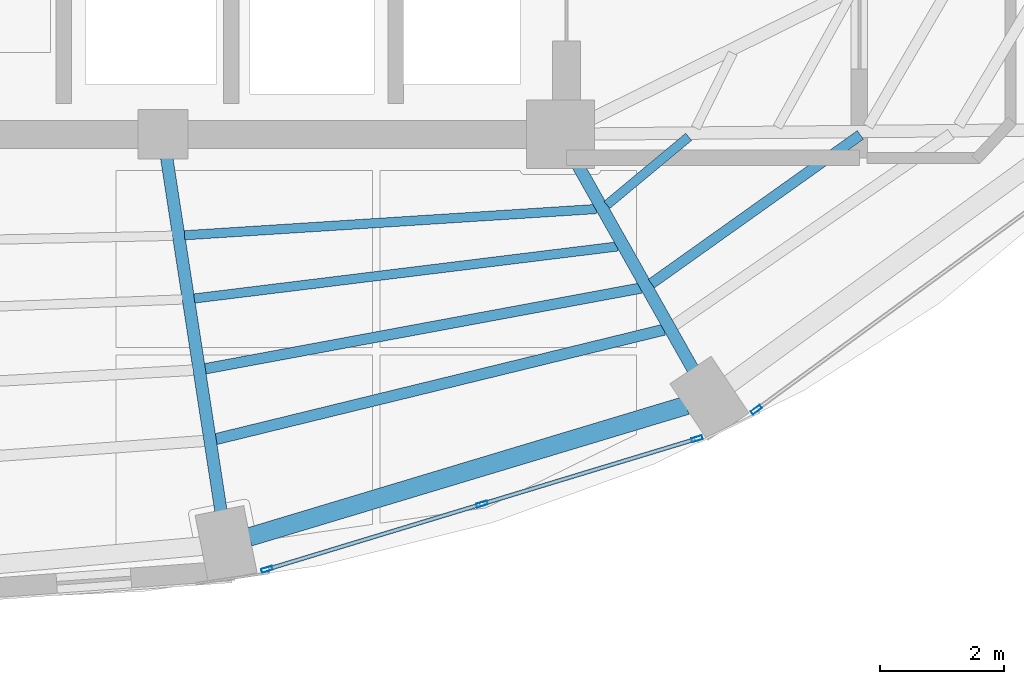
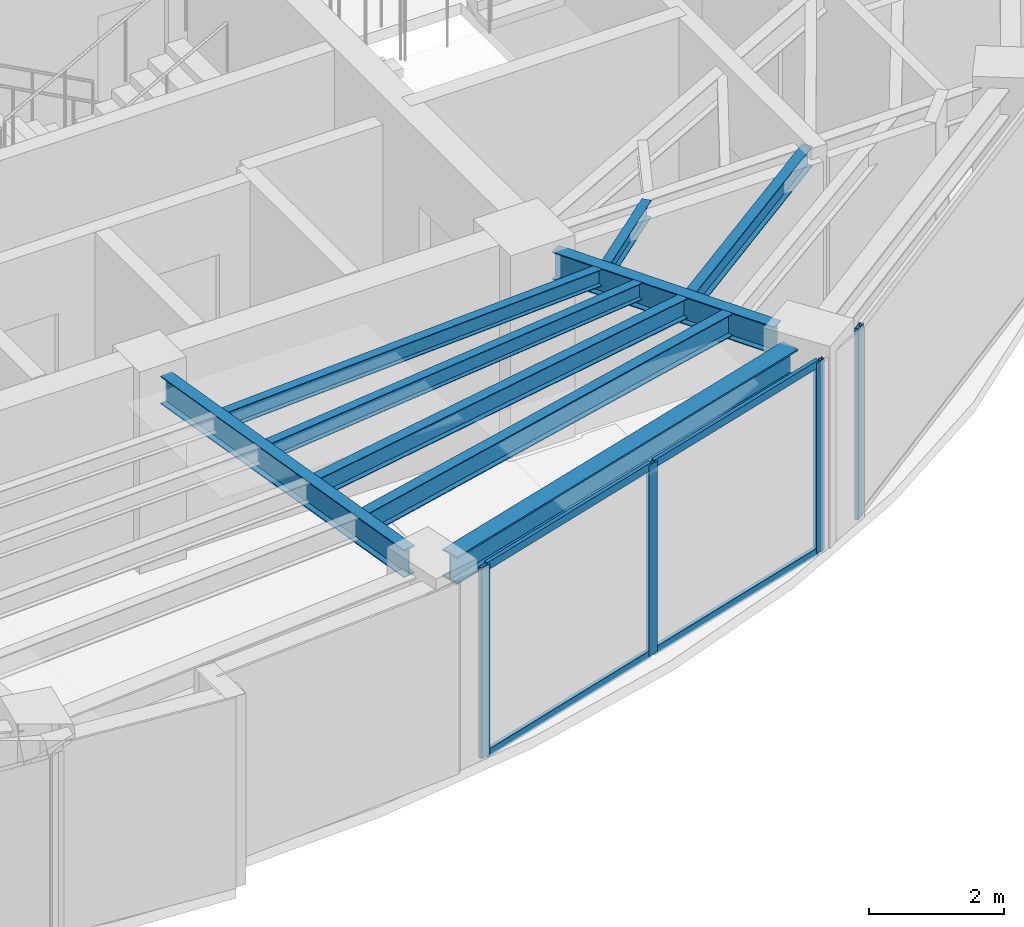
# One storey, part 2 of 13: 9 beams, 8 members, 2 elements without a shape of their own.
"""IFC4 building model written with IfcOpenShell, lengths in metres."""

from ifc_helpers import new_model, si_unit, direction, frame, origin, origin_2d, place, context, subcontext, project, spatial, hollow_rectangle, i_section, extrude, material, layer, layer_set, material_profile, profile_set, type_object, element, aggregate, save


model = new_model("IFC4")

# Units and contexts
model_context = context("Model", 3, precision=1e-05, world=origin(), true_north=direction((0.0, 1.0)))
body_context = subcontext(model_context, "Body", "Model", "MODEL_VIEW")
ifc_project = project(units=[si_unit("LENGTHUNIT", "METRE"), si_unit("AREAUNIT", "SQUARE_METRE"), si_unit("VOLUMEUNIT", "CUBIC_METRE"), si_unit("PLANEANGLEUNIT", "RADIAN"), si_unit("MASSUNIT", "GRAM", prefix="KILO")], contexts=[model_context])

# Site, building, storey
site_placement = place(None, origin())
site = spatial("IfcSite", under=ifc_project, at=site_placement, CompositionType="ELEMENT")
building_placement = place(site_placement, origin())
building = spatial("IfcBuilding", under=site, at=building_placement, Name="Lazwardi Medical Tower", CompositionType="ELEMENT")
storey_placement = place(building_placement, frame((0.0, 0.0, 276.912109375)))
storey = spatial("IfcBuildingStorey", under=building, at=storey_placement, Name="L72", CompositionType="ELEMENT", Elevation=276.912109375)

# Beams
ifc_material_1 = material(Name="Steel S355", Category="steel")
ifc_material_profile_1 = material_profile(ifc_material_1, i_section(OverallWidth=0.300048828125, OverallDepth=0.5, WebThickness=0.014404296875, FlangeThickness=0.028076171875, at=origin_2d()), Name="HEB 500")
ifc_profile_set_1 = profile_set([ifc_material_profile_1], Name="Steel S355")
beam_type_1 = type_object("IfcBeamType", Name="BM-RB-Z4", PredefinedType="BEAM", material=ifc_profile_set_1)
beam_1_placement = place(storey_placement, frame((40.58740234375, 13.9140625, 3.197998046875), z_axis=(0.957544311906, 0.288286126506, 0.0), x_axis=(-0.288286126506, 0.957544311906, 0.0)))
element("IfcBeam", 1, at=beam_1_placement, inside=storey, type_object=beam_type_1, Name="Ring beam RB-05 B01 L72", PredefinedType="BEAM", context=body_context, shape_type="SweptSolid", body=[
    extrude(i_section(OverallWidth=0.300048828125, OverallDepth=0.5, WebThickness=0.014404296875, FlangeThickness=0.028076171875, at=origin_2d()), origin(), (0.0, 0.0, 1.0), 7.3515625),
])
ifc_material_profile_2 = material_profile(ifc_material_1, i_section(OverallWidth=0.199951171875, OverallDepth=0.5, WebThickness=0.01025390625, FlangeThickness=0.01611328125, at=origin_2d()), Name="IPE 500")
ifc_profile_set_2 = profile_set([ifc_material_profile_2], Name="Steel S355")
beam_type_2 = type_object("IfcBeamType", Name="BM-RG-W3", PredefinedType="BEAM", material=ifc_profile_set_2)
beam_2_placement = place(storey_placement, frame((40.1328125, 14.33056640625, 3.197998046875), z_axis=(-0.151894625259, 0.988396693043, 0.0), x_axis=(-0.988396693043, -0.151894625259, 0.0)))
element("IfcBeam", 2, at=beam_2_placement, inside=storey, type_object=beam_type_2, Name="Radial girder RG-04 R01 L72", PredefinedType="BEAM", context=body_context, shape_type="SweptSolid", body=[
    extrude(i_section(OverallWidth=0.199951171875, OverallDepth=0.5, WebThickness=0.01025390625, FlangeThickness=0.01611328125, at=origin_2d()), origin(), (0.0, 0.0, 1.0), 5.755859375),
])
beam_3_placement = place(storey_placement, frame((47.7373046875, 16.61181640625, 3.197998046875), z_axis=(-0.491403349237, 0.870932114667, 0.0), x_axis=(-0.870932114667, -0.491403349237, 0.0)))
element("IfcBeam", 3, at=beam_3_placement, inside=storey, type_object=beam_type_2, Name="Radial girder RG-04 R02 L72", PredefinedType="BEAM", context=body_context, shape_type="SweptSolid", body=[
    extrude(i_section(OverallWidth=0.199951171875, OverallDepth=0.5, WebThickness=0.01025390625, FlangeThickness=0.01611328125, at=origin_2d()), origin(), (0.0, 0.0, 1.0), 3.814697265625),
])
ifc_material_profile_3 = material_profile(ifc_material_1, i_section(OverallWidth=0.179931640625, OverallDepth=0.39990234375, WebThickness=0.008544921875, FlangeThickness=0.013427734375, at=origin_2d()), Name="IPE 400")
ifc_profile_set_3 = profile_set([ifc_material_profile_3], Name="Steel S355")
beam_type_3 = type_object("IfcBeamType", Name="BM-SJ-01", PredefinedType="JOIST", material=ifc_profile_set_3)
beam_4_placement = place(storey_placement, frame((40.050048828125, 15.49072265625, 3.247802734375), z_axis=(0.971461103721, 0.237198912219, 0.0), x_axis=(-0.237198912219, 0.971461103721, 0.0)))
element("IfcBeam", 4, at=beam_4_placement, inside=storey, type_object=beam_type_3, Name="Secondary joist SJ-01 R1 B01 L72", PredefinedType="JOIST", context=body_context, shape_type="SweptSolid", body=[
    extrude(i_section(OverallWidth=0.179931640625, OverallDepth=0.39990234375, WebThickness=0.008544921875, FlangeThickness=0.013427734375, at=origin_2d()), origin(), (0.0, 0.0, 1.0), 7.432373046875),
])
ifc_material_profile_4 = material_profile(ifc_material_1, i_section(OverallWidth=0.169921875, OverallDepth=0.360107421875, WebThickness=0.008056640625, FlangeThickness=0.0126953125, at=origin_2d()), Name="IPE 360")
ifc_profile_set_4 = profile_set([ifc_material_profile_4], Name="Steel S355")
beam_type_4 = type_object("IfcBeamType", Name="BM-SJ-02", PredefinedType="JOIST", material=ifc_profile_set_4)
beam_5_placement = place(storey_placement, frame((39.87646484375, 16.623291015625, 3.267822265625), z_axis=(0.983270661344, 0.182150505189, 0.0), x_axis=(-0.182150505189, 0.983270661344, 0.0)))
element("IfcBeam", 5, at=beam_5_placement, inside=storey, type_object=beam_type_4, Name="Secondary joist SJ-02 R2 B01 L72", PredefinedType="JOIST", context=body_context, shape_type="SweptSolid", body=[
    extrude(i_section(OverallWidth=0.169921875, OverallDepth=0.360107421875, WebThickness=0.008056640625, FlangeThickness=0.0126953125, at=origin_2d()), origin(), (0.0, 0.0, 1.0), 7.13720703125),
])
beam_6_placement = place(storey_placement, frame((47.06494140625, 17.995849609375, 3.267822265625), z_axis=(0.814885852348, 0.579621469274, 0.0), x_axis=(-0.579621469274, 0.814885852348, 0.0)))
element("IfcBeam", 6, at=beam_6_placement, inside=storey, type_object=beam_type_4, Name="Secondary joist SJ-02 R2 B02 L72", PredefinedType="JOIST", context=body_context, shape_type="SweptSolid", body=[
    extrude(i_section(OverallWidth=0.169921875, OverallDepth=0.360107421875, WebThickness=0.008056640625, FlangeThickness=0.0126953125, at=origin_2d()), origin(), (0.0, 0.0, 1.0), 4.131103515625),
])
ifc_material_profile_5 = material_profile(ifc_material_1, i_section(OverallWidth=0.14990234375, OverallDepth=0.300048828125, WebThickness=0.007080078125, FlangeThickness=0.0107421875, at=origin_2d()), Name="IPE 300")
ifc_profile_set_5 = profile_set([ifc_material_profile_5], Name="Steel S355")
beam_type_5 = type_object("IfcBeamType", Name="BM-SJ-03", PredefinedType="JOIST", material=ifc_profile_set_5)
beam_7_placement = place(storey_placement, frame((39.702392578125, 17.755615234375, 3.2978515625), z_axis=(0.992528507109, 0.122012960685, 0.0), x_axis=(-0.122012960685, 0.992528507109, 0.0)))
element("IfcBeam", 7, at=beam_7_placement, inside=storey, type_object=beam_type_5, Name="Secondary joist SJ-03 R3 B01 L72", PredefinedType="JOIST", context=body_context, shape_type="SweptSolid", body=[
    extrude(i_section(OverallWidth=0.14990234375, OverallDepth=0.300048828125, WebThickness=0.007080078125, FlangeThickness=0.0107421875, at=origin_2d()), origin(), (0.0, 0.0, 1.0), 6.8671875),
])
beam_8_placement = place(storey_placement, frame((39.545654296875, 18.77392578125, 3.2978515625), z_axis=(0.997972905644, 0.063640235704, 0.0), x_axis=(-0.063640235704, 0.997972905644, 0.0)))
element("IfcBeam", 8, at=beam_8_placement, inside=storey, type_object=beam_type_5, Name="Secondary joist SJ-03 R4 B01 L72", PredefinedType="JOIST", context=body_context, shape_type="SweptSolid", body=[
    extrude(i_section(OverallWidth=0.14990234375, OverallDepth=0.300048828125, WebThickness=0.007080078125, FlangeThickness=0.0107421875, at=origin_2d()), origin(), (0.0, 0.0, 1.0), 6.648193359375),
])
beam_9_placement = place(storey_placement, frame((46.348388671875, 19.263916015625, 3.2978515625), z_axis=(0.768968334056, 0.639286869269, 0.0), x_axis=(-0.639286869269, 0.768968334056, 0.0)))
element("IfcBeam", 9, at=beam_9_placement, inside=storey, type_object=beam_type_5, Name="Secondary joist SJ-03 R4 B02 L72", PredefinedType="JOIST", context=body_context, shape_type="SweptSolid", body=[
    extrude(i_section(OverallWidth=0.14990234375, OverallDepth=0.300048828125, WebThickness=0.007080078125, FlangeThickness=0.0107421875, at=origin_2d()), origin(), (0.0, 0.0, 1.0), 1.713134765625),
])

# Curtain wall, members
ifc_material_2 = material(Name="Anodised bronze aluminium and solar control glazing", Category="aluminium")
ifc_layer = layer(ifc_material_2, 0.18994140625)
ifc_layer_set = layer_set([ifc_layer], Name="Anodised bronze aluminium and solar control glazing")
curtain_wall_type = type_object("IfcCurtainWallType", Name="CW-SYS-04", PredefinedType="NOTDEFINED", material=ifc_layer_set)
curtain_wall_1_placement = place(storey_placement, origin())
curtain_wall_1 = element("IfcCurtainWall", 10, at=curtain_wall_1_placement, inside=storey, type_object=curtain_wall_type, Name="L72 Unitised bronze curtain wall CW-04", PredefinedType="NOTDEFINED")
ifc_material_3 = material(Name="Anodised bronze aluminium", Category="aluminium")
ifc_material_profile_6 = material_profile(ifc_material_3, hollow_rectangle(XDim=0.06494140625, YDim=0.179931640625, WallThickness=0.00390625, at=origin_2d()), Name="ALU-MULLION 180x65x4")
ifc_profile_set_6 = profile_set([ifc_material_profile_6], Name="Anodised bronze aluminium")
member_type_1 = type_object("IfcMemberType", Name="CW-MUL-03", PredefinedType="MULLION", material=ifc_profile_set_6)
member_1_placement = place(storey_placement, frame((40.873046875, 13.392822265625, 0.0), z_axis=(0.0, 0.0, 1.0), x_axis=(-0.290581889515, 0.956850126972, 0.0)))
member_1 = element("IfcMember", 11, at=member_1_placement, type_object=member_type_1, Name="CW-04 mullion 1", PredefinedType="MULLION", context=body_context, shape_type="SweptSolid", body=[
    extrude(hollow_rectangle(XDim=0.06494140625, YDim=0.179931640625, WallThickness=0.00390625, at=origin_2d()), origin(), (0.0, 0.0, 1.0), 3.447998046875),
])
member_2_placement = place(storey_placement, frame((44.33642578125, 14.444580078125, 0.0), z_axis=(0.0, 0.0, 1.0), x_axis=(-0.290581889515, 0.956850126972, 0.0)))
member_2 = element("IfcMember", 12, at=member_2_placement, type_object=member_type_1, Name="CW-04 mullion 2", PredefinedType="MULLION", context=body_context, shape_type="SweptSolid", body=[
    extrude(hollow_rectangle(XDim=0.06494140625, YDim=0.179931640625, WallThickness=0.00390625, at=origin_2d()), origin(), (0.0, 0.0, 1.0), 3.447998046875),
])
member_3_placement = place(storey_placement, frame((47.7998046875, 15.496337890625, 0.0), z_axis=(0.0, 0.0, 1.0), x_axis=(-0.290581889515, 0.956850126972, 0.0)))
member_3 = element("IfcMember", 13, at=member_3_placement, type_object=member_type_1, Name="CW-04 mullion 3", PredefinedType="MULLION", context=body_context, shape_type="SweptSolid", body=[
    extrude(hollow_rectangle(XDim=0.06494140625, YDim=0.179931640625, WallThickness=0.00390625, at=origin_2d()), origin(), (0.0, 0.0, 1.0), 3.447998046875),
])

# Curtain wall, member
curtain_wall_2_placement = place(storey_placement, origin())
curtain_wall_2 = element("IfcCurtainWall", 14, at=curtain_wall_2_placement, inside=storey, type_object=curtain_wall_type, Name="L72 Unitised bronze curtain wall CW-04", PredefinedType="NOTDEFINED")
member_4_placement = place(storey_placement, frame((48.75537109375, 15.965087890625, 0.0), z_axis=(0.0, 0.0, 1.0), x_axis=(-0.591268230971, 0.806474971121, 0.0)))
member_4 = element("IfcMember", 15, at=member_4_placement, type_object=member_type_1, Name="CW-04 mullion 1", PredefinedType="MULLION", context=body_context, shape_type="SweptSolid", body=[
    extrude(hollow_rectangle(XDim=0.06494140625, YDim=0.179931640625, WallThickness=0.00390625, at=origin_2d()), origin(), (0.0, 0.0, 1.0), 3.447998046875),
])
aggregate(curtain_wall_2, [member_4])

# Member
ifc_material_profile_7 = material_profile(ifc_material_3, hollow_rectangle(XDim=0.06494140625, YDim=0.139892578125, WallThickness=0.00341796875, at=origin_2d()), Name="ALU-TRANSOM 140x65x3.5")
ifc_profile_set_7 = profile_set([ifc_material_profile_7], Name="Anodised bronze aluminium")
member_type_2 = type_object("IfcMemberType", Name="CW-TRN-03", PredefinedType="USERDEFINED", material=ifc_profile_set_7)
member_5_placement = place(storey_placement, frame((40.904296875, 13.40234375, 0.032470703125), z_axis=(0.956843409009, 0.290604010015, 0.0), x_axis=(-0.290604010015, 0.956843409009, 0.0)))
member_5 = element("IfcMember", 16, at=member_5_placement, type_object=member_type_2, Name="CW-04 transom 1.1", ObjectType="TRANSOM", PredefinedType="USERDEFINED", context=body_context, shape_type="SweptSolid", body=[
    extrude(hollow_rectangle(XDim=0.06494140625, YDim=0.139892578125, WallThickness=0.00341796875, at=origin_2d()), origin(), (0.0, 0.0, 1.0), 3.554443359375),
])

member_6_placement = place(storey_placement, frame((40.904296875, 13.40234375, 3.415283203125), z_axis=(0.956843409009, 0.290604010015, 0.0), x_axis=(-0.290604010015, 0.956843409009, 0.0)))
member_6 = element("IfcMember", 17, at=member_6_placement, type_object=member_type_2, Name="CW-04 transom 1.2", ObjectType="TRANSOM", PredefinedType="USERDEFINED", context=body_context, shape_type="SweptSolid", body=[
    extrude(hollow_rectangle(XDim=0.06494140625, YDim=0.139892578125, WallThickness=0.00341796875, at=origin_2d()), origin(), (0.0, 0.0, 1.0), 3.554443359375),
])

member_7_placement = place(storey_placement, frame((44.367431640625, 14.4541015625, 0.032470703125), z_axis=(0.956843409009, 0.290604010015, 0.0), x_axis=(-0.290604010015, 0.956843409009, 0.0)))
member_7 = element("IfcMember", 18, at=member_7_placement, type_object=member_type_2, Name="CW-04 transom 2.1", ObjectType="TRANSOM", PredefinedType="USERDEFINED", context=body_context, shape_type="SweptSolid", body=[
    extrude(hollow_rectangle(XDim=0.06494140625, YDim=0.139892578125, WallThickness=0.00341796875, at=origin_2d()), origin(), (0.0, 0.0, 1.0), 3.554443359375),
])

member_8_placement = place(storey_placement, frame((44.367431640625, 14.4541015625, 3.415283203125), z_axis=(0.956843409009, 0.290604010015, 0.0), x_axis=(-0.290604010015, 0.956843409009, 0.0)))
member_8 = element("IfcMember", 19, at=member_8_placement, type_object=member_type_2, Name="CW-04 transom 2.2", ObjectType="TRANSOM", PredefinedType="USERDEFINED", context=body_context, shape_type="SweptSolid", body=[
    extrude(hollow_rectangle(XDim=0.06494140625, YDim=0.139892578125, WallThickness=0.00341796875, at=origin_2d()), origin(), (0.0, 0.0, 1.0), 3.554443359375),
])

aggregate(curtain_wall_1, [member_1, member_2, member_3, member_5, member_6, member_7, member_8])

save(model, "model.ifc")
